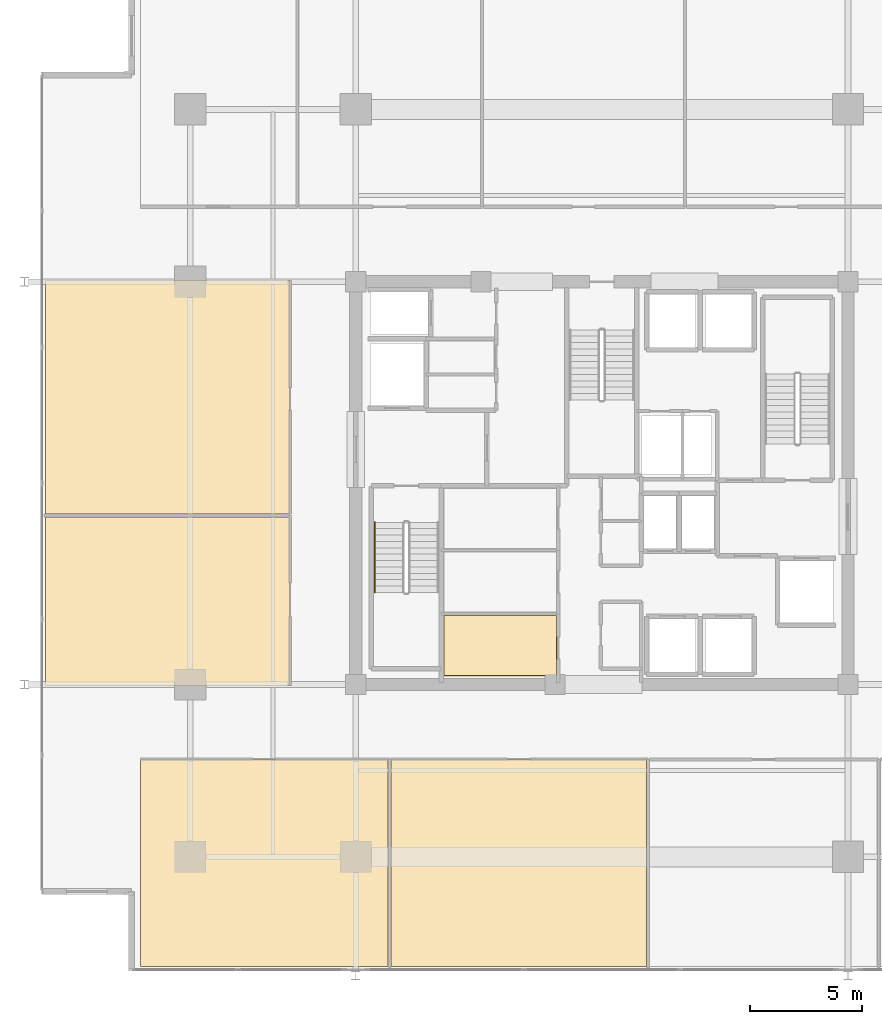
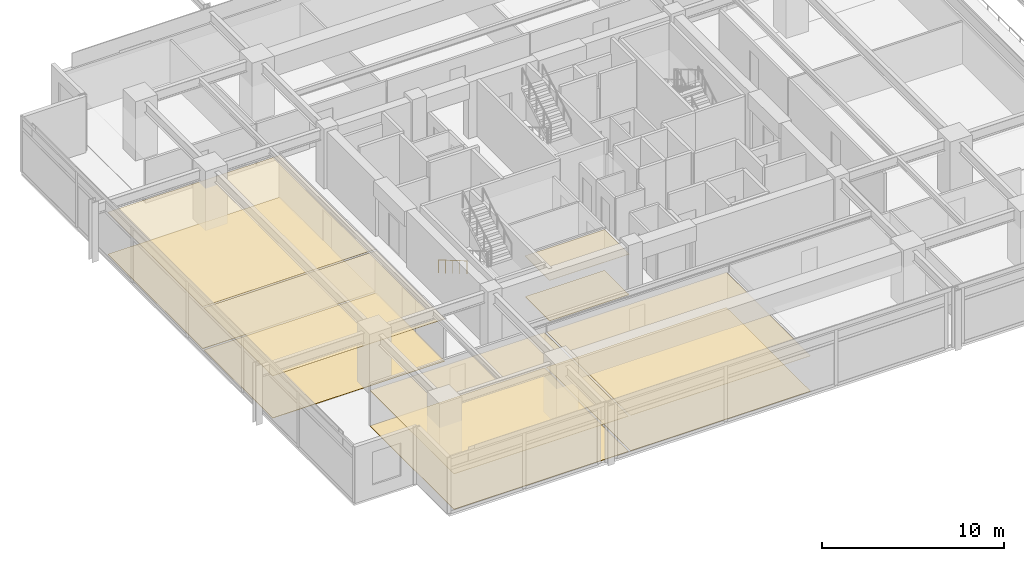
# One storey, part 18 of 21: 10 coverings, 1 railing.
"""IFC4 building model written with IfcOpenShell, lengths in metres."""

from ifc_helpers import new_model, si_unit, direction, frame, origin, origin_2d, place, context, subcontext, project, spatial, polyline, circle, outline, extrude, material, layer, layer_set, type_object, element, save


model = new_model("IFC4")

# Units and contexts
model_context = context("Model", 3, precision=1e-05, world=origin(), true_north=direction((0.0, 1.0)))
body_context = subcontext(model_context, "Body", "Model", "MODEL_VIEW")
ifc_project = project(units=[si_unit("LENGTHUNIT", "METRE"), si_unit("AREAUNIT", "SQUARE_METRE"), si_unit("VOLUMEUNIT", "CUBIC_METRE"), si_unit("PLANEANGLEUNIT", "RADIAN"), si_unit("MASSUNIT", "GRAM", prefix="KILO")], contexts=[model_context])

# Site, building, storey
site_placement = place(None, origin())
site = spatial("IfcSite", under=ifc_project, at=site_placement, CompositionType="ELEMENT")
building_placement = place(site_placement, origin())
building = spatial("IfcBuilding", under=site, at=building_placement, Name="Kovane Verandah Tower", CompositionType="ELEMENT")
storey_placement = place(building_placement, frame((0.0, 0.0, 209.199951171875)))
storey = spatial("IfcBuildingStorey", under=building, at=storey_placement, Name="L48", CompositionType="ELEMENT", Elevation=209.199951171875)

# Coverings
ifc_material_1 = material(Name="Perforated Acoustic Mineral-Fibre Ceiling Tile", Category="gypsum")
ifc_layer_1 = layer(ifc_material_1, 0.02490234375)
ifc_layer_set_1 = layer_set([ifc_layer_1], Name="Perforated Acoustic Mineral-Fibre Ceiling Tile")
covering_type_1 = type_object("IfcCoveringType", Name="CV-CEIL-25", PredefinedType="CEILING", material=ifc_layer_set_1)
covering_1_placement = place(storey_placement, frame((0.0, 0.0, 2.72998046875)))
element("IfcCovering", 1, at=covering_1_placement, inside=storey, type_object=covering_type_1, Name="L48 Project Archive Room Acoustic Ceiling", PredefinedType="CEILING", context=body_context, shape_type="SweptSolid", body=[
    extrude(outline(polyline([(32.93505859375, 18.885009765625), (37.9951171875, 18.885009765625), (37.9951171875, 21.594970703125), (32.93505859375, 21.594970703125), (32.93505859375, 18.885009765625)])), origin(), (0.0, 0.0, 1.0), 0.025146484375),
])
covering_2_placement = place(storey_placement, frame((0.0, 0.0, 2.380126953125)))
element("IfcCovering", 2, at=covering_2_placement, inside=storey, type_object=covering_type_1, Name="L48 Collaboration Hub S1 Acoustic Ceiling", PredefinedType="CEILING", context=body_context, shape_type="SweptSolid", body=[
    extrude(outline(polyline([(19.382080078125, 5.908447265625), (30.44580078125, 5.908447265625), (30.44580078125, 15.14990234375), (19.382080078125, 15.14990234375), (19.382080078125, 5.908447265625)])), origin(), (0.0, 0.0, 1.0), 0.02490234375),
])
covering_3_placement = place(storey_placement, frame((0.0, 0.0, 2.380126953125)))
element("IfcCovering", 3, at=covering_3_placement, inside=storey, type_object=covering_type_1, Name="L48 Document and Print Room S2 Acoustic Ceiling", PredefinedType="CEILING", context=body_context, shape_type="SweptSolid", body=[
    extrude(outline(polyline([(30.585693359375, 5.908447265625), (41.99169921875, 5.908447265625), (41.99169921875, 15.14990234375), (30.585693359375, 15.14990234375), (30.585693359375, 5.908447265625)])), origin(), (0.0, 0.0, 1.0), 0.02490234375),
])
covering_4_placement = place(storey_placement, frame((0.0, 0.0, 2.824951171875)))
element("IfcCovering", 4, at=covering_4_placement, inside=storey, type_object=covering_type_1, Name="L48 Client Boardroom W1 Acoustic Ceiling", PredefinedType="CEILING", context=body_context, shape_type="SweptSolid", body=[
    extrude(outline(polyline([(15.132080078125, 18.449951171875), (26.050048828125, 18.449951171875), (26.050048828125, 25.98193359375), (15.132080078125, 25.98193359375), (15.132080078125, 18.449951171875)])), origin(), (0.0, 0.0, 1.0), 0.025146484375),
])
covering_5_placement = place(storey_placement, frame((0.0, 0.0, 2.824951171875)))
element("IfcCovering", 5, at=covering_5_placement, inside=storey, type_object=covering_type_1, Name="L48 Meeting Room W2 Acoustic Ceiling", PredefinedType="CEILING", context=body_context, shape_type="SweptSolid", body=[
    extrude(outline(polyline([(15.132080078125, 26.1220703125), (26.050048828125, 26.1220703125), (26.050048828125, 36.550048828125), (15.132080078125, 36.550048828125), (15.132080078125, 26.1220703125)])), origin(), (0.0, 0.0, 1.0), 0.025146484375),
])
ifc_material_2 = material(Name="Polished Terrazzo and Raised-Access Carpet Tile Finish", Category="concrete")
ifc_layer_2 = layer(ifc_material_2, 0.030029296875)
ifc_layer_set_2 = layer_set([ifc_layer_2], Name="Polished Terrazzo and Raised-Access Carpet Tile Finish")
covering_type_2 = type_object("IfcCoveringType", Name="CV-FLOR-30", PredefinedType="FLOORING", material=ifc_layer_set_2)
covering_6_placement = place(storey_placement, origin())
element("IfcCovering", 6, at=covering_6_placement, inside=storey, type_object=covering_type_2, Name="L48 Project Archive Room Floor Finish", PredefinedType="FLOORING", context=body_context, shape_type="SweptSolid", body=[
    extrude(outline(polyline([(32.949951171875, 18.89990234375), (37.97998046875, 18.89990234375), (37.97998046875, 21.580078125), (32.949951171875, 21.580078125), (32.949951171875, 18.89990234375)])), origin(), (0.0, 0.0, 1.0), 0.030029296875),
])
covering_7_placement = place(storey_placement, origin())
element("IfcCovering", 7, at=covering_7_placement, inside=storey, type_object=covering_type_2, Name="L48 Collaboration Hub S1 Floor Finish", PredefinedType="FLOORING", context=body_context, shape_type="SweptSolid", body=[
    extrude(outline(polyline([(19.382080078125, 5.908447265625), (30.44580078125, 5.908447265625), (30.44580078125, 15.14990234375), (19.382080078125, 15.14990234375), (19.382080078125, 5.908447265625)])), origin(), (0.0, 0.0, 1.0), 0.030029296875),
])
covering_8_placement = place(storey_placement, origin())
element("IfcCovering", 8, at=covering_8_placement, inside=storey, type_object=covering_type_2, Name="L48 Document and Print Room S2 Floor Finish", PredefinedType="FLOORING", context=body_context, shape_type="SweptSolid", body=[
    extrude(outline(polyline([(30.585693359375, 5.908447265625), (41.99169921875, 5.908447265625), (41.99169921875, 15.14990234375), (30.585693359375, 15.14990234375), (30.585693359375, 5.908447265625)])), origin(), (0.0, 0.0, 1.0), 0.030029296875),
])
covering_9_placement = place(storey_placement, origin())
element("IfcCovering", 9, at=covering_9_placement, inside=storey, type_object=covering_type_2, Name="L48 Client Boardroom W1 Floor Finish", PredefinedType="FLOORING", context=body_context, shape_type="SweptSolid", body=[
    extrude(outline(polyline([(15.132080078125, 18.449951171875), (26.050048828125, 18.449951171875), (26.050048828125, 25.98193359375), (15.132080078125, 25.98193359375), (15.132080078125, 18.449951171875)])), origin(), (0.0, 0.0, 1.0), 0.030029296875),
])
covering_10_placement = place(storey_placement, origin())
element("IfcCovering", 10, at=covering_10_placement, inside=storey, type_object=covering_type_2, Name="L48 Meeting Room W2 Floor Finish", PredefinedType="FLOORING", context=body_context, shape_type="SweptSolid", body=[
    extrude(outline(polyline([(15.132080078125, 26.1220703125), (26.050048828125, 26.1220703125), (26.050048828125, 36.550048828125), (15.132080078125, 36.550048828125), (15.132080078125, 26.1220703125)])), origin(), (0.0, 0.0, 1.0), 0.030029296875),
])

# Railing
ifc_material_3 = material(Name="Brushed Stainless Steel Handrail", Category="steel")
railing_type = type_object("IfcRailingType", Name="RL-HAND-920", PredefinedType="HANDRAIL", material=ifc_material_3)
railing_placement = place(storey_placement, frame((29.85009765625, 25.75, 0.166748046875)))
element("IfcRailing", 11, at=railing_placement, inside=storey, type_object=railing_type, Name="L48 ST-01 stair handrail 1", PredefinedType="HANDRAIL", context=body_context, shape_type="SweptSolid", body=[
    extrude(circle(Radius=0.02392578125, at=origin_2d()), frame((0.0, 0.0, 0.8759765625), z_axis=(0.0, -0.863239559939, 0.504794475164), x_axis=(1.0, 0.0, 0.0)), (0.0, 0.0, 1.0), 3.631591796875),
    extrude(circle(Radius=0.02099609375, at=origin_2d()), origin(), (0.0, 0.0, 1.0), 0.851806640625),
    extrude(circle(Radius=0.02099609375, at=origin_2d()), frame((0.0, -0.78369140625, 0.458251953125)), (0.0, 0.0, 1.0), 0.851806640625),
    extrude(circle(Radius=0.02099609375, at=origin_2d()), frame((0.0, -1.5673828125, 0.91650390625)), (0.0, 0.0, 1.0), 0.851806640625),
    extrude(circle(Radius=0.02099609375, at=origin_2d()), frame((0.0, -2.351318359375, 1.375)), (0.0, 0.0, 1.0), 0.851806640625),
    extrude(circle(Radius=0.02099609375, at=origin_2d()), frame((0.0, -3.135009765625, 1.833251953125)), (0.0, 0.0, 1.0), 0.851806640625),
])

save(model, "model.ifc")
